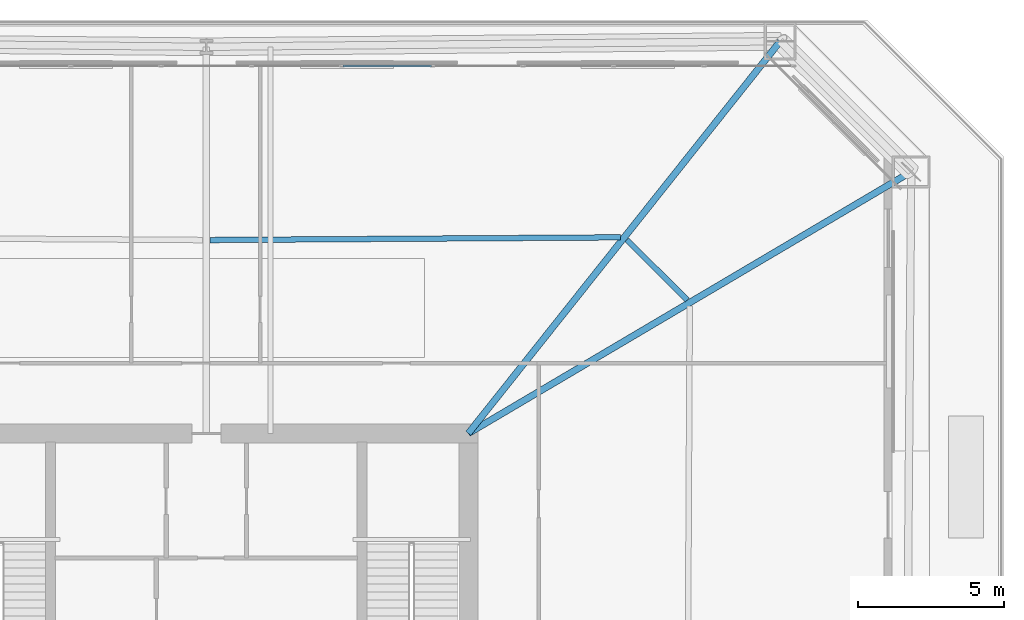
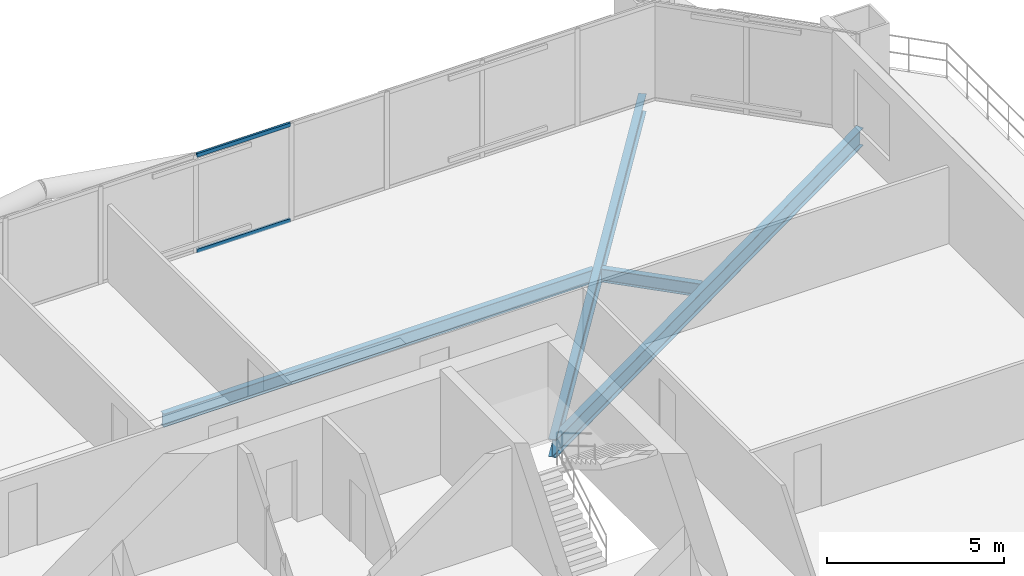
# One storey, part 22 of 34: 4 beams, 2 members, 1 element without a shape of its own.
"""IFC4 building model written with IfcOpenShell, lengths in metres."""

import ifcopenshell
import ifcopenshell.guid

model = None  # the IFC model being written
_history = None  # IfcOwnerHistory: only IFC2X3 demands one
_inside = {}  # id of a spatial element -> (the spatial element, [elements in it])
_under = {}  # id of a project, library or spatial element -> (it, [spatial elements below it])
_declared = {}  # id of a project -> (the project, [libraries it declares])
_typed = {}  # id of a type object -> (the type object, [elements of that type])
_made_of = {}  # id of a material, layer set ... -> (it, [elements and type objects made of it])


def new_model(schema):
    """Start an empty IFC model of exactly this schema.

    Asked for "IFC4X3", IfcOpenShell would pick the latest addendum, in which some entities
    have other attributes; the version numbers below select the first issue.
    IFC2X3 requires an IfcOwnerHistory on every rooted entity: one is made here for all.
    """
    global model, _history
    if schema == "IFC4X3":
        model = ifcopenshell.file(schema_version=(4, 3, 0, 0))
    else:
        model = ifcopenshell.file(schema=schema)
    _inside.clear()
    _under.clear()
    _declared.clear()
    _typed.clear()
    _made_of.clear()
    _history = None
    if model.schema == "IFC2X3":
        org = make("IfcOrganization", Name="unknown")
        user = make(
            "IfcPersonAndOrganization",
            ThePerson=make("IfcPerson", FamilyName="unknown"),
            TheOrganization=org,
        )
        app = make(
            "IfcApplication",
            ApplicationDeveloper=org,
            Version="unknown",
            ApplicationFullName="unknown",
            ApplicationIdentifier="unknown",
        )
        _history = make(
            "IfcOwnerHistory",
            OwningUser=user,
            OwningApplication=app,
            ChangeAction="ADDED",
            CreationDate=0,
        )
    return model


def make(cls, **values):
    """One entity of the class cls with the attributes given. An attribute that is None is left unset."""
    return model.create_entity(
        cls, **{name: value for name, value in values.items() if value is not None}
    )


def rooted(cls, **values):
    """An entity with a GlobalId (a new one), such as an element, a storey or a relation."""
    return make(cls, GlobalId=ifcopenshell.guid.new(), OwnerHistory=_history, **values)


def si_unit(unit_type, name, prefix=None):
    """IfcSIUnit, for example si_unit("LENGTHUNIT", "METRE", prefix="MILLI")."""
    return make("IfcSIUnit", UnitType=unit_type, Prefix=prefix, Name=name)


def assignment(units):
    """IfcUnitAssignment: the units of a project."""
    return None if units is None else make("IfcUnitAssignment", Units=units)


def point(xyz):
    """IfcCartesianPoint."""
    return None if xyz is None else make("IfcCartesianPoint", Coordinates=xyz)


def direction(xyz):
    """IfcDirection."""
    return None if xyz is None else make("IfcDirection", DirectionRatios=xyz)


def frame(location, z_axis=None, x_axis=None):
    """IfcAxis2Placement3D, a coordinate frame: its origin and axes. An axis left out is left unset."""
    return make(
        "IfcAxis2Placement3D",
        Location=point(location),
        Axis=direction(z_axis),
        RefDirection=direction(x_axis),
    )


def frame_2d(location, x_axis=None):
    """IfcAxis2Placement2D, a coordinate frame in the plane: its origin and x axis."""
    return make(
        "IfcAxis2Placement2D", Location=point(location), RefDirection=direction(x_axis)
    )


def origin():
    """The frame at (0, 0, 0) with its axes left unset."""
    return frame((0.0, 0.0, 0.0))


def origin_2d():
    """The frame at (0, 0) in the plane with its x axis left unset."""
    return frame_2d((0.0, 0.0))


def place(relative_to, where):
    """IfcLocalPlacement: puts the frame where relative to a parent placement (None: the world)."""
    return make(
        "IfcLocalPlacement", PlacementRelTo=relative_to, RelativePlacement=where
    )


def context(
    kind, dimensions, precision=None, world=None, true_north=None, identifier=None
):
    """IfcGeometricRepresentationContext, for example the 3D "Model" context."""
    return make(
        "IfcGeometricRepresentationContext",
        ContextIdentifier=identifier,
        ContextType=kind,
        CoordinateSpaceDimension=dimensions,
        Precision=precision,
        WorldCoordinateSystem=world,
        TrueNorth=true_north,
    )


def subcontext(parent, identifier, kind, view, scale=None):
    """IfcGeometricRepresentationSubContext, for example "Body" below "Model"."""
    return make(
        "IfcGeometricRepresentationSubContext",
        ContextIdentifier=identifier,
        ContextType=kind,
        ParentContext=parent,
        TargetScale=scale,
        TargetView=view,
    )


def project(units=None, contexts=None):
    """IfcProject with its units and contexts."""
    return rooted(
        "IfcProject",
        Name="project",
        RepresentationContexts=contexts,
        UnitsInContext=assignment(units),
    )


def spatial(cls, under=None, at=None, **own):
    """A site, building, storey or space (cls), placed at a placement, below another one or the project."""
    s = rooted(cls, ObjectPlacement=at, **own)
    if under is not None:
        _under.setdefault(under.id(), (under, []))[1].append(s)
    return s


def profile(cls, at=None, kind="AREA", **sizes):
    """A parametric profile (cls). Its sizes go by their IFC names, for example OverallWidth=200.0."""
    return make(cls, ProfileType=kind, Position=at, **sizes)


def hollow_rectangle(**sizes):
    """IfcRectangleHollowProfileDef."""
    return profile("IfcRectangleHollowProfileDef", **sizes)


def i_section(**sizes):
    """IfcIShapeProfileDef."""
    return profile("IfcIShapeProfileDef", **sizes)


def extrude(swept, where, along, depth):
    """IfcExtrudedAreaSolid: the profile swept, set in the frame where, extruded along a direction by depth."""
    return make(
        "IfcExtrudedAreaSolid",
        SweptArea=swept,
        Position=where,
        ExtrudedDirection=direction(along),
        Depth=depth,
    )


def shape(context_of_items, identifier, shape_type, items):
    """IfcShapeRepresentation: the items that make up one representation, for example the "Body"."""
    return make(
        "IfcShapeRepresentation",
        ContextOfItems=context_of_items,
        RepresentationIdentifier=identifier,
        RepresentationType=shape_type,
        Items=items,
    )


def material(Name=None, Category=None):
    """IfcMaterial."""
    return make("IfcMaterial", Name=Name, Category=Category)


def layer(
    of_material, thickness, ventilated=None, Name=None, Category=None, Priority=None
):
    """IfcMaterialLayer: one layer of a wall or slab, of a material (None: an air gap)."""
    return make(
        "IfcMaterialLayer",
        Material=of_material,
        LayerThickness=thickness,
        IsVentilated=ventilated,
        Name=Name,
        Category=Category,
        Priority=Priority,
    )


def layer_set(layers, Name=None):
    """IfcMaterialLayerSet."""
    return make("IfcMaterialLayerSet", MaterialLayers=layers, LayerSetName=Name)


def material_profile(
    of_material, cross_section, Name=None, Category=None, Priority=None
):
    """IfcMaterialProfile: a cross section and its material."""
    return make(
        "IfcMaterialProfile",
        Name=Name,
        Material=of_material,
        Profile=cross_section,
        Priority=Priority,
        Category=Category,
    )


def profile_set(profiles, Name=None, composite=None):
    """IfcMaterialProfileSet."""
    return make(
        "IfcMaterialProfileSet",
        Name=Name,
        MaterialProfiles=profiles,
        CompositeProfile=composite,
    )


def made_of(thing, what):
    """Note that an element or type object is made of a material, layer set ...; save() writes the relation."""
    if what is not None:
        _made_of.setdefault(what.id(), (what, []))[1].append(thing)
    return thing


def type_object(cls, material=None, **own):
    """A type object (cls), such as IfcWallType, which elements share."""
    return made_of(rooted(cls, **own), material)


def element(
    cls,
    number,
    at=None,
    inside=None,
    cuts=None,
    type_object=None,
    material=None,
    context=None,
    identifier="Body",
    shape_type=None,
    held_by="IfcProductDefinitionShape",
    body=None,
    shapes=None,
    **own,
):
    """One element of the class cls, such as IfcWall. Its Tag is "e" and its number.

    at: its placement. inside: the storey or other place that contains it. cuts: it is an
    opening in that element (IfcRelVoidsElement). A single representation is given by context,
    identifier, shape_type and body (its items); several are given by shapes. held_by: the class
    of the entity that holds the representations. save() writes the other relations.
    """
    e = rooted(cls, Tag="e%d" % number, ObjectPlacement=at, **own)
    if body is not None:
        shapes = [shape(context, identifier, shape_type, body)]
    if shapes is not None:
        e.Representation = make(held_by, Representations=shapes)
    if inside is not None:
        _inside.setdefault(inside.id(), (inside, []))[1].append(e)
    if cuts is not None:
        rooted(
            "IfcRelVoidsElement", RelatingBuildingElement=cuts, RelatedOpeningElement=e
        )
    if type_object is not None:
        _typed.setdefault(type_object.id(), (type_object, []))[1].append(e)
    return made_of(e, material)


def aggregate(whole, parts):
    """IfcRelAggregates: a whole, such as a stair, and the parts it consists of."""
    return rooted("IfcRelAggregates", RelatingObject=whole, RelatedObjects=parts)


def save(model, path):
    """Write the relations noted so far, then the file.

    IfcRelAggregates (storeys below a building ...), IfcRelContainedInSpatialStructure (elements
    in a storey), IfcRelDefinesByType, IfcRelAssociatesMaterial and IfcRelDeclares: one each for
    every whole, place, type object, material and project.
    """
    for whole, parts in _under.values():
        aggregate(whole, parts)
    for where, things in _inside.values():
        rooted(
            "IfcRelContainedInSpatialStructure",
            RelatedElements=things,
            RelatingStructure=where,
        )
    for kind, things in _typed.values():
        rooted("IfcRelDefinesByType", RelatedObjects=things, RelatingType=kind)
    for what, things in _made_of.values():
        rooted("IfcRelAssociatesMaterial", RelatedObjects=things, RelatingMaterial=what)
    for by, libraries in _declared.values():
        rooted("IfcRelDeclares", RelatingContext=by, RelatedDefinitions=libraries)
    model.write(path)


model = new_model("IFC4")

# Units and contexts
model_context = context("Model", 3, precision=1e-05, world=origin(), true_north=direction((0.0, 1.0)))
body_context = subcontext(model_context, "Body", "Model", "MODEL_VIEW")
ifc_project = project(units=[si_unit("LENGTHUNIT", "METRE"), si_unit("AREAUNIT", "SQUARE_METRE"), si_unit("VOLUMEUNIT", "CUBIC_METRE"), si_unit("PLANEANGLEUNIT", "RADIAN"), si_unit("MASSUNIT", "GRAM", prefix="KILO")], contexts=[model_context])

# Site, building, storey
site_placement = place(None, origin())
site = spatial("IfcSite", under=ifc_project, at=site_placement, CompositionType="ELEMENT")
building_placement = place(site_placement, origin())
building = spatial("IfcBuilding", under=site, at=building_placement, Name="Caelvoria Tower", CompositionType="ELEMENT")
storey_placement = place(building_placement, frame((0.0, 0.0, 28.0)))
storey = spatial("IfcBuildingStorey", under=building, at=storey_placement, Name="L06", CompositionType="ELEMENT", Elevation=28.0)

# Curtain wall, members
ifc_material_1 = material(Name="Anodised Bronze Aluminium and Low-E Glass", Category="aluminium")
ifc_layer = layer(ifc_material_1, 0.18505859375, Name="Anodised Bronze Aluminium and Low-E Glass")
ifc_layer_set = layer_set([ifc_layer], Name="CW System 2 Lower Tower Bronze Unitised Facade - Anodised Bronze Aluminium and Low-E Glass")
curtain_wall_type = type_object("IfcCurtainWallType", Name="CW System 2 Lower Tower Bronze Unitised Facade", PredefinedType="NOTDEFINED", material=ifc_layer_set)
curtain_wall_placement = place(storey_placement, origin())
curtain_wall = element("IfcCurtainWall", 1, at=curtain_wall_placement, inside=storey, type_object=curtain_wall_type, Name="CW-02 Curtain Wall L06-E4", PredefinedType="NOTDEFINED")
ifc_material_2 = material(Name="Anodised Bronze Architectural Aluminium", Category="aluminium")
ifc_material_profile_1 = material_profile(ifc_material_2, hollow_rectangle(XDim=0.06494140625, YDim=0.1298828125, WallThickness=0.00341796875, at=origin_2d()), Name="Anodised Bronze Architectural Aluminium")
ifc_profile_set_1 = profile_set([ifc_material_profile_1], Name="CW_TRAN_65X130 - Anodised Bronze Architectural Aluminium")
member_type = type_object("IfcMemberType", Name="Curtain Wall Transom 65x130 Bronze Aluminium", PredefinedType="USERDEFINED", material=ifc_profile_set_1)
member_1_placement = place(storey_placement, frame((53.73681640625, 52.6201171875, 0.032470703125), z_axis=(-1.0, 0.0, 0.0), x_axis=(0.0, -1.0, 0.0)))
member_1 = element("IfcMember", 2, at=member_1_placement, type_object=member_type, Name="CW-02 transom 5.1", ObjectType="TRANSOM", PredefinedType="USERDEFINED", context=body_context, shape_type="SweptSolid", body=[
    extrude(hollow_rectangle(XDim=0.06494140625, YDim=0.1298828125, WallThickness=0.00341796875, at=origin_2d()), origin(), (0.0, 0.0, 1.0), 3.042724609375),
])
member_2_placement = place(storey_placement, frame((53.73681640625, 52.6201171875, 3.327392578125), z_axis=(-1.0, 0.0, 0.0), x_axis=(0.0, -1.0, 0.0)))
member_2 = element("IfcMember", 3, at=member_2_placement, type_object=member_type, Name="CW-02 transom 5.2", ObjectType="TRANSOM", PredefinedType="USERDEFINED", context=body_context, shape_type="SweptSolid", body=[
    extrude(hollow_rectangle(XDim=0.06494140625, YDim=0.1298828125, WallThickness=0.00341796875, at=origin_2d()), origin(), (0.0, 0.0, 1.0), 3.042724609375),
])
aggregate(curtain_wall, [member_1, member_2])

# Beams
ifc_material_3 = material(Name="Structural Steel ASTM A992 Gr.50", Category="steel")
ifc_material_profile_2 = material_profile(ifc_material_3, i_section(OverallWidth=0.22900390625, OverallDepth=0.612060546875, WebThickness=0.011962890625, FlangeThickness=0.01953125, FilletRadius=0.01806640625, at=origin_2d()), Name="Structural Steel ASTM A992 Gr.50")
ifc_profile_set_2 = profile_set([ifc_material_profile_2], Name="W610X125 - Structural Steel ASTM A992 Gr.50")
beam_type_1 = type_object("IfcBeamType", Name="Primary Radial Floor Girder W610X125", PredefinedType="BEAM", material=ifc_profile_set_2)
beam_1_placement = place(storey_placement, frame((55.0, 40.0, -0.6259765625), z_axis=(0.860965316265, 0.508663665095, 0.0), x_axis=(-0.508663665095, 0.860965316265, 0.0)))
element("IfcBeam", 4, at=beam_1_placement, inside=storey, type_object=beam_type_1, Name="Primary Floor Girder L06-05", PredefinedType="BEAM", context=body_context, shape_type="SweptSolid", body=[
    extrude(i_section(OverallWidth=0.22900390625, OverallDepth=0.612060546875, WebThickness=0.011962890625, FlangeThickness=0.01953125, FilletRadius=0.01806640625, at=origin_2d()), origin(), (0.0, 0.0, 1.0), 17.6669921875),
])
beam_2_placement = place(storey_placement, frame((55.0, 40.0, -0.6259765625), z_axis=(0.622471237323, 0.782642676261, 0.0), x_axis=(-0.782642676261, 0.622471237323, 0.0)))
element("IfcBeam", 5, at=beam_2_placement, inside=storey, type_object=beam_type_1, Name="Primary Floor Girder L06-06", PredefinedType="BEAM", context=body_context, shape_type="SweptSolid", body=[
    extrude(i_section(OverallWidth=0.22900390625, OverallDepth=0.612060546875, WebThickness=0.011962890625, FlangeThickness=0.01953125, FilletRadius=0.01806640625, at=origin_2d()), origin(), (0.0, 0.0, 1.0), 17.210205078125),
])
ifc_material_profile_3 = material_profile(ifc_material_3, i_section(OverallWidth=0.18994140625, OverallDepth=0.45703125, WebThickness=0.009033203125, FlangeThickness=0.014404296875, FilletRadius=0.014892578125, at=origin_2d()), Name="Structural Steel ASTM A992 Gr.50")
ifc_profile_set_3 = profile_set([ifc_material_profile_3], Name="W460X74 - Structural Steel ASTM A992 Gr.50")
beam_type_2 = type_object("IfcBeamType", Name="Secondary Floor Beam W460X74", PredefinedType="BEAM", material=ifc_profile_set_3)
beam_3_placement = place(storey_placement, frame((62.516845703125, 44.58154296875, -0.548583984375), z_axis=(-0.708274309747, 0.705937321688, 0.0), x_axis=(-0.705937321688, -0.708274309747, 0.0)))
element("IfcBeam", 6, at=beam_3_placement, inside=storey, type_object=beam_type_2, Name="Secondary Floor Beam L06-05", PredefinedType="BEAM", context=body_context, shape_type="SweptSolid", body=[
    extrude(i_section(OverallWidth=0.18994140625, OverallDepth=0.45703125, WebThickness=0.009033203125, FlangeThickness=0.014404296875, FilletRadius=0.014892578125, at=origin_2d()), origin(), (0.0, 0.0, 1.0), 2.925048828125),
])
beam_4_placement = place(storey_placement, frame((60.2314453125, 46.73388671875, -0.548583984375), z_axis=(-0.999978260442, -0.006593833805, 0.0), x_axis=(0.006593833805, -0.999978260442, 0.0)))
element("IfcBeam", 7, at=beam_4_placement, inside=storey, type_object=beam_type_2, Name="Secondary Floor Beam L06-06", PredefinedType="BEAM", context=body_context, shape_type="SweptSolid", body=[
    extrude(i_section(OverallWidth=0.18994140625, OverallDepth=0.45703125, WebThickness=0.009033203125, FlangeThickness=0.014404296875, FilletRadius=0.014892578125, at=origin_2d()), origin(), (0.0, 0.0, 1.0), 14.106689453125),
])

save(model, "model.ifc")
